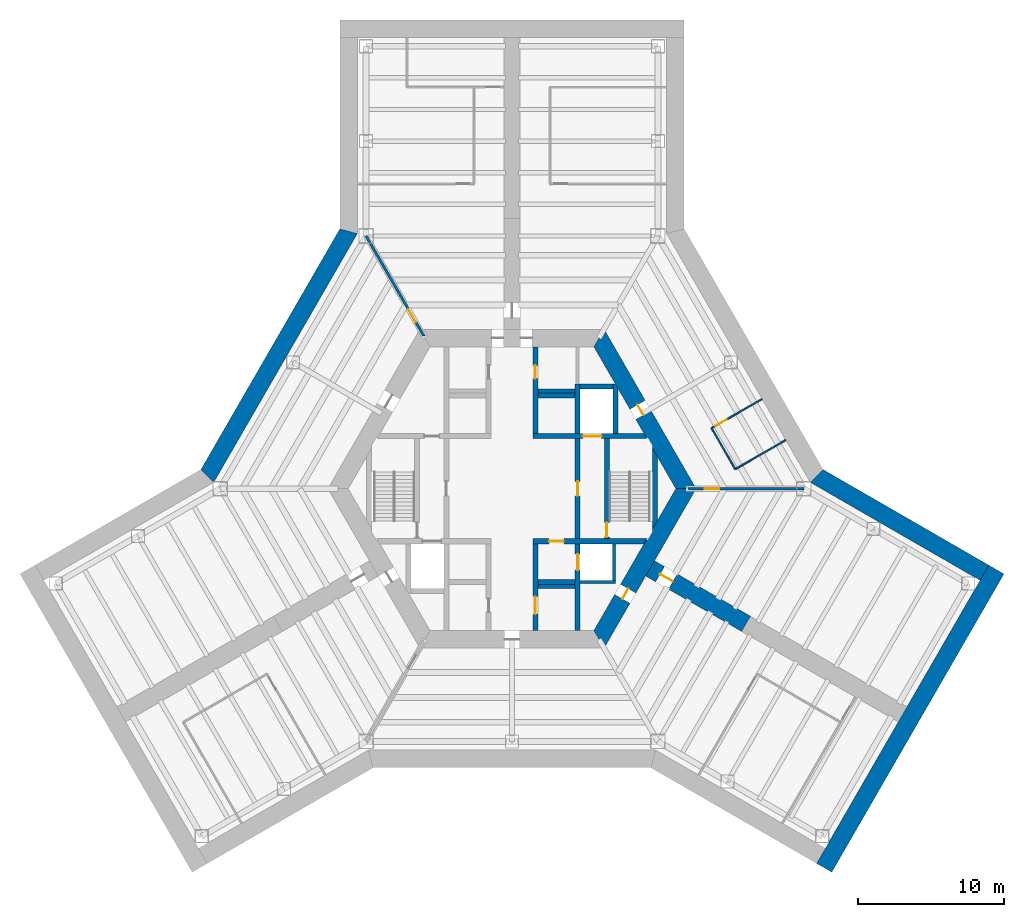
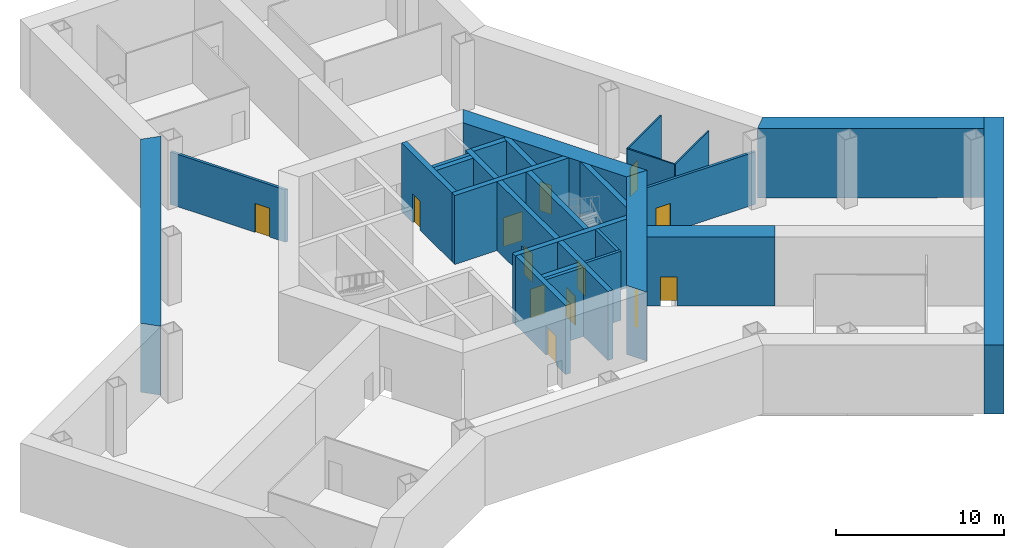
# One storey, part 5 of 7: 28 walls, 13 doors, 13 openings.
"""IFC4 building model written with IfcOpenShell, lengths in metres."""

from ifc_helpers import new_model, si_unit, direction, frame, frame_2d, origin, place, context, subcontext, project, spatial, polyline, rectangle, outline, extrude, material, layer, layer_set, type_object, element, fill, save


model = new_model("IFC4")

# Units and contexts
model_context = context("Model", 3, precision=1e-05, world=origin(), true_north=direction((0.0, 1.0)))
body_context = subcontext(model_context, "Body", "Model", "MODEL_VIEW")
ifc_project = project(units=[si_unit("LENGTHUNIT", "METRE"), si_unit("AREAUNIT", "SQUARE_METRE"), si_unit("VOLUMEUNIT", "CUBIC_METRE"), si_unit("PLANEANGLEUNIT", "RADIAN"), si_unit("MASSUNIT", "GRAM", prefix="KILO")], contexts=[model_context])

# Site, building, storey
site_placement = place(None, origin())
site = spatial("IfcSite", under=ifc_project, at=site_placement, CompositionType="ELEMENT")
building_placement = place(site_placement, origin())
building = spatial("IfcBuilding", under=site, at=building_placement, Name="Kasaneha Research Tower", CompositionType="ELEMENT")
storey_placement = place(building_placement, frame((0.0, 0.0, -5.0)))
storey = spatial("IfcBuildingStorey", under=building, at=storey_placement, Name="B1", CompositionType="ELEMENT", Elevation=-5.0)

# Walls
ifc_material_1 = material(Name="Concrete Fc60", Category="concrete")
ifc_layer_1 = layer(ifc_material_1, 1.199951171875)
ifc_layer_set_1 = layer_set([ifc_layer_1], Name="Basement retaining wall 1200 Fc60")
wall_type_1 = type_object("IfcWallType", Name="Basement retaining wall 1200 Fc60", PredefinedType="SOLIDWALL", material=ifc_layer_set_1)
wall_1_placement = place(storey_placement, frame((-20.87841796875, 0.87841796875, 0.0), z_axis=(0.0, 0.0, 1.0), x_axis=(0.499998307868, 0.866026380735, 0.0)))
element("IfcWall", 1, at=wall_1_placement, inside=storey, type_object=wall_type_1, Name="Retaining wall 2 B1", PredefinedType="SOLIDWALL", context=body_context, shape_type="SweptSolid", body=[
    extrude(outline(polyline([(-0.160888671875, -0.60009765625), (19.517822265625, -0.60009765625), (19.196044921875, 0.60009765625), (0.160888671875, 0.60009765625), (-0.160888671875, -0.60009765625)])), origin(), (0.0, 0.0, 1.0), 5.0),
])
wall_2_placement = place(storey_placement, frame((20.87841796875, 0.87841796875, 0.0), z_axis=(0.0, 0.0, 1.0), x_axis=(0.866028209229, -0.499995140796, 0.0)))
element("IfcWall", 2, at=wall_2_placement, inside=storey, type_object=wall_type_1, Name="Retaining wall 7 B1", PredefinedType="SOLIDWALL", context=body_context, shape_type="SweptSolid", body=[
    extrude(outline(polyline([(-0.160888671875, -0.60009765625), (13.278564453125, -0.60009765625), (13.278564453125, 0.60009765625), (0.160888671875, 0.60009765625), (-0.160888671875, -0.60009765625)])), origin(), (0.0, 0.0, 1.0), 5.0),
])
wall_3_placement = place(storey_placement, frame((33.197509765625, -5.541259765625, 0.0), z_axis=(0.0, 0.0, 1.0), x_axis=(-0.500005427746, -0.866022270051, 0.0)))
element("IfcWall", 3, at=wall_3_placement, inside=storey, type_object=wall_type_1, Name="Retaining wall 8 B1", PredefinedType="SOLIDWALL", context=body_context, shape_type="SweptSolid", body=[
    extrude(rectangle(XDim=23.599853515625, YDim=1.199951171875, at=frame_2d((11.7998046875, 0.0))), origin(), (0.0, 0.0, 1.0), 5.0),
])

# Wall, opening, door
ifc_material_2 = material(Name="Concrete Fc100", Category="concrete")
ifc_layer_2 = layer(ifc_material_2, 0.35009765625)
ifc_layer_set_2 = layer_set([ifc_layer_2], Name="Core internal wall 350 Fc100")
wall_type_2 = type_object("IfcWallType", Name="Core internal wall 350 Fc100", PredefinedType="SHEAR", material=ifc_layer_set_2)
wall_4_placement = place(storey_placement, frame((1.425048828125, 3.60009765625, 0.0), z_axis=(0.0, 0.0, 1.0), x_axis=(1.0, 0.0, 0.0)))
wall_4 = element("IfcWall", 4, at=wall_4_placement, inside=storey, type_object=wall_type_2, Name="Core wall W1E B1", PredefinedType="SHEAR", context=body_context, shape_type="SweptSolid", body=[
    extrude(outline(polyline([(0.0, -0.175048828125), (3.425048828125, -0.175048828125), (4.72509765625, -0.175048828125), (7.8271484375, -0.175048828125), (7.625, 0.175048828125), (4.72509765625, 0.175048828125), (3.425048828125, 0.175048828125), (0.0, 0.175048828125), (0.0, -0.175048828125)])), origin(), (0.0, 0.0, 1.0), 5.0),
])
opening_1_placement = place(wall_4_placement, frame((3.425048828125, 0.0, 0.0)))
opening_1 = element("IfcOpeningElement", 5, at=opening_1_placement, cuts=wall_4, Name="Opening LD-FL1-B1", PredefinedType="OPENING", context=body_context, shape_type="SweptSolid", body=[
    extrude(rectangle(XDim=1.300048828125, YDim=2.10009765625, at=frame_2d((0.64990234375, 1.050048828125))), frame((0.0, 0.18505859375, 0.0), z_axis=(0.0, -1.0, 0.0), x_axis=(1.0, 0.0, 0.0)), (0.0, 0.0, 1.0), 0.3701171875),
])
ifc_material_3 = material(Name="Steel", Category="steel")
door_type_1 = type_object("IfcDoorType", Name="Lift landing door 1300x2100", OperationType="DOUBLE_DOOR_SLIDING", PredefinedType="DOOR", material=ifc_material_3)
door_1_placement = place(opening_1_placement, origin())
door_1 = element("IfcDoor", 6, at=door_1_placement, inside=storey, type_object=door_type_1, Name="Landing door FL1 LD-FL1-B1", OperationType="DOUBLE_DOOR_SLIDING", OverallHeight=2.10009765625, OverallWidth=1.300048828125, PredefinedType="DOOR", context=body_context, shape_type="SweptSolid", body=[
    extrude(rectangle(XDim=1.300048828125, YDim=2.10009765625, at=frame_2d((0.64990234375, 1.050048828125))), frame((0.0, 0.02490234375, 0.0), z_axis=(0.0, -1.0, 0.0), x_axis=(1.0, 0.0, 0.0)), (0.0, 0.0, 1.0), 0.050048828125),
])
fill(opening_1, door_1)

wall_5_placement = place(storey_placement, frame((1.425048828125, -3.60009765625, 0.0), z_axis=(0.0, 0.0, 1.0), x_axis=(1.0, 0.0, 0.0)))
wall_5 = element("IfcWall", 7, at=wall_5_placement, inside=storey, type_object=wall_type_2, Name="Core wall W2E B1", PredefinedType="SHEAR", context=body_context, shape_type="SweptSolid", body=[
    extrude(outline(polyline([(0.0, -0.175048828125), (1.125, -0.175048828125), (2.125, -0.175048828125), (7.625, -0.175048828125), (7.8271484375, 0.175048828125), (2.125, 0.175048828125), (1.125, 0.175048828125), (0.0, 0.175048828125), (0.0, -0.175048828125)])), origin(), (0.0, 0.0, 1.0), 5.0),
])
opening_2_placement = place(wall_5_placement, frame((1.125, 0.0, 0.0)))
opening_2 = element("IfcOpeningElement", 8, at=opening_2_placement, cuts=wall_5, Name="Opening B1-LV", PredefinedType="OPENING", context=body_context, shape_type="SweptSolid", body=[
    extrude(rectangle(XDim=1.0, YDim=2.10009765625, at=frame_2d((0.5, 1.050048828125))), frame((0.0, 0.18505859375, 0.0), z_axis=(0.0, -1.0, 0.0), x_axis=(1.0, 0.0, 0.0)), (0.0, 0.0, 1.0), 0.3701171875),
])
ifc_material_4 = material(Name="Steel", Category="steel")
door_type_2 = type_object("IfcDoorType", Name="Specified fire door FD60 1000x2100", OperationType="NOTDEFINED", PredefinedType="DOOR", material=ifc_material_4)
door_2_placement = place(opening_2_placement, origin())
door_2 = element("IfcDoor", 9, at=door_2_placement, inside=storey, type_object=door_type_2, Name="Podium vestibule door B1-LV", OperationType="SINGLE_SWING_LEFT", OverallHeight=2.10009765625, OverallWidth=1.0, PredefinedType="DOOR", context=body_context, shape_type="SweptSolid", body=[
    extrude(rectangle(XDim=1.0, YDim=2.10009765625, at=frame_2d((0.5, 1.050048828125))), frame((0.0, 0.02490234375, 0.0), z_axis=(0.0, -1.0, 0.0), x_axis=(1.0, 0.0, 0.0)), (0.0, 0.0, 1.0), 0.050048828125),
])
fill(opening_2, door_2)

wall_6_placement = place(storey_placement, frame((1.60009765625, 3.77490234375, 0.0), z_axis=(0.0, 0.0, 1.0), x_axis=(0.0, 1.0, 0.0)))
wall_6 = element("IfcWall", 10, at=wall_6_placement, inside=storey, type_object=wall_type_2, Name="Core wall CNE B1", PredefinedType="SHEAR", context=body_context, shape_type="SweptSolid", body=[
    extrude(rectangle(XDim=5.9501953125, YDim=0.35009765625, at=frame_2d((2.97509765625, 0.0))), origin(), (0.0, 0.0, 1.0), 5.0),
])
opening_3_placement = place(wall_6_placement, frame((3.77490234375, 0.0, 0.0)))
opening_3 = element("IfcOpeningElement", 11, at=opening_3_placement, cuts=wall_6, Name="Opening B1-D14", PredefinedType="OPENING", context=body_context, shape_type="SweptSolid", body=[
    extrude(rectangle(XDim=0.89990234375, YDim=2.10009765625, at=frame_2d((0.449951171875, 1.050048828125))), frame((0.0, 0.18505859375, 0.0), z_axis=(0.0, -1.0, 0.0), x_axis=(1.0, 0.0, 0.0)), (0.0, 0.0, 1.0), 0.3701171875),
])
ifc_material_5 = material(Name="Steel", Category="steel")
door_type_3 = type_object("IfcDoorType", Name="Toilet door FD20 900x2100", OperationType="NOTDEFINED", PredefinedType="DOOR", material=ifc_material_5)
door_3_placement = place(opening_3_placement, origin())
door_3 = element("IfcDoor", 12, at=door_3_placement, inside=storey, type_object=door_type_3, Name="Women's WC door B1-D14", OperationType="SINGLE_SWING_LEFT", OverallHeight=2.10009765625, OverallWidth=0.89990234375, PredefinedType="DOOR", context=body_context, shape_type="SweptSolid", body=[
    extrude(rectangle(XDim=0.89990234375, YDim=2.10009765625, at=frame_2d((0.449951171875, 1.050048828125))), frame((0.0, 0.02490234375, 0.0), z_axis=(0.0, -1.0, 0.0), x_axis=(1.0, 0.0, 0.0)), (0.0, 0.0, 1.0), 0.050048828125),
])
fill(opening_3, door_3)

wall_7_placement = place(storey_placement, frame((1.60009765625, -3.77490234375, 0.0), z_axis=(0.0, 0.0, 1.0), x_axis=(0.0, -1.0, 0.0)))
wall_7 = element("IfcWall", 13, at=wall_7_placement, inside=storey, type_object=wall_type_2, Name="Core wall CSE B1", PredefinedType="SHEAR", context=body_context, shape_type="SweptSolid", body=[
    extrude(rectangle(XDim=5.9501953125, YDim=0.35009765625, at=frame_2d((2.97509765625, 0.0))), origin(), (0.0, 0.0, 1.0), 5.0),
])
opening_4_placement = place(wall_7_placement, frame((3.625, 0.0, 0.0)))
opening_4 = element("IfcOpeningElement", 14, at=opening_4_placement, cuts=wall_7, Name="Opening B1-D15", PredefinedType="OPENING", context=body_context, shape_type="SweptSolid", body=[
    extrude(rectangle(XDim=1.199951171875, YDim=2.10009765625, at=frame_2d((0.60009765625, 1.050048828125))), frame((0.0, 0.18505859375, 0.0), z_axis=(0.0, -1.0, 0.0), x_axis=(1.0, 0.0, 0.0)), (0.0, 0.0, 1.0), 0.3701171875),
])
ifc_material_6 = material(Name="Steel", Category="steel")
door_type_4 = type_object("IfcDoorType", Name="Accessible toilet sliding door FD20 1200x2100", OperationType="SLIDING_TO_LEFT", PredefinedType="DOOR", material=ifc_material_6)
door_4_placement = place(opening_4_placement, origin())
door_4 = element("IfcDoor", 15, at=door_4_placement, inside=storey, type_object=door_type_4, Name="Accessible WC door B1-D15", OperationType="SLIDING_TO_LEFT", OverallHeight=2.10009765625, OverallWidth=1.199951171875, PredefinedType="DOOR", context=body_context, shape_type="SweptSolid", body=[
    extrude(rectangle(XDim=1.199951171875, YDim=2.10009765625, at=frame_2d((0.60009765625, 1.050048828125))), frame((0.0, 0.02490234375, 0.0), z_axis=(0.0, -1.0, 0.0), x_axis=(1.0, 0.0, 0.0)), (0.0, 0.0, 1.0), 0.050048828125),
])
fill(opening_4, door_4)

wall_8_placement = place(storey_placement, frame((4.5, -3.425048828125, 0.0), z_axis=(0.0, 0.0, 1.0), x_axis=(0.0, 1.0, 0.0)))
wall_8 = element("IfcWall", 16, at=wall_8_placement, inside=storey, type_object=wall_type_2, Name="Core wall LBE B1", PredefinedType="SHEAR", context=body_context, shape_type="SweptSolid", body=[
    extrude(rectangle(XDim=6.85009765625, YDim=0.35009765625, at=frame_2d((3.425048828125, 0.0))), origin(), (0.0, 0.0, 1.0), 5.0),
])
opening_5_placement = place(wall_8_placement, frame((2.925048828125, 0.0, 0.0)))
opening_5 = element("IfcOpeningElement", 17, at=opening_5_placement, cuts=wall_8, Name="Opening B1-D08", PredefinedType="OPENING", context=body_context, shape_type="SweptSolid", body=[
    extrude(rectangle(XDim=1.0, YDim=2.10009765625, at=frame_2d((0.5, 1.050048828125))), frame((0.0, 0.18505859375, 0.0), z_axis=(0.0, -1.0, 0.0), x_axis=(1.0, 0.0, 0.0)), (0.0, 0.0, 1.0), 0.3701171875),
])
door_5_placement = place(opening_5_placement, origin())
door_5 = element("IfcDoor", 18, at=door_5_placement, inside=storey, type_object=door_type_2, Name="Lift lobby door east B1-D08", OperationType="SINGLE_SWING_LEFT", OverallHeight=2.10009765625, OverallWidth=1.0, PredefinedType="DOOR", context=body_context, shape_type="SweptSolid", body=[
    extrude(rectangle(XDim=1.0, YDim=2.10009765625, at=frame_2d((0.5, 1.050048828125))), frame((0.0, 0.02490234375, 0.0), z_axis=(0.0, -1.0, 0.0), x_axis=(1.0, 0.0, 0.0)), (0.0, 0.0, 1.0), 0.050048828125),
])
fill(opening_5, door_5)

wall_9_placement = place(storey_placement, frame((6.5, -3.425048828125, 0.0), z_axis=(0.0, 0.0, 1.0), x_axis=(0.0, 1.0, 0.0)))
wall_9 = element("IfcWall", 19, at=wall_9_placement, inside=storey, type_object=wall_type_2, Name="Core wall ANE B1", PredefinedType="SHEAR", context=body_context, shape_type="SweptSolid", body=[
    extrude(rectangle(XDim=6.85009765625, YDim=0.35009765625, at=frame_2d((3.425048828125, 0.0))), origin(), (0.0, 0.0, 1.0), 5.0),
])
opening_6_placement = place(wall_9_placement, frame((0.10009765625, 0.0, 0.0)))
opening_6 = element("IfcOpeningElement", 20, at=opening_6_placement, cuts=wall_9, Name="Opening B1-D10", PredefinedType="OPENING", context=body_context, shape_type="SweptSolid", body=[
    extrude(rectangle(XDim=1.0, YDim=2.10009765625, at=frame_2d((0.5, 1.050048828125))), frame((0.0, 0.18505859375, 0.0), z_axis=(0.0, -1.0, 0.0), x_axis=(1.0, 0.0, 0.0)), (0.0, 0.0, 1.0), 0.3701171875),
])
door_6_placement = place(opening_6_placement, origin())
door_6 = element("IfcDoor", 21, at=door_6_placement, inside=storey, type_object=door_type_2, Name="Stair 1 door B1-D10", OperationType="SINGLE_SWING_LEFT", OverallHeight=2.10009765625, OverallWidth=1.0, PredefinedType="DOOR", context=body_context, shape_type="SweptSolid", body=[
    extrude(rectangle(XDim=1.0, YDim=2.10009765625, at=frame_2d((0.5, 1.050048828125))), frame((0.0, 0.02490234375, 0.0), z_axis=(0.0, -1.0, 0.0), x_axis=(1.0, 0.0, 0.0)), (0.0, 0.0, 1.0), 0.050048828125),
])
fill(opening_6, door_6)

# Wall
wall_10_placement = place(storey_placement, frame((4.5, 3.77490234375, 0.0), z_axis=(0.0, 0.0, 1.0), x_axis=(0.0, 1.0, 0.0)))
element("IfcWall", 22, at=wall_10_placement, inside=storey, type_object=wall_type_2, Name="Core wall FNE B1", PredefinedType="SHEAR", context=body_context, shape_type="SweptSolid", body=[
    extrude(rectangle(XDim=3.400146484375, YDim=0.35009765625, at=frame_2d((1.7001953125, 0.0))), origin(), (0.0, 0.0, 1.0), 5.0),
])

# Wall, opening, door
wall_11_placement = place(storey_placement, frame((4.5, -3.77490234375, 0.0), z_axis=(0.0, 0.0, 1.0), x_axis=(0.0, -1.0, 0.0)))
wall_11 = element("IfcWall", 23, at=wall_11_placement, inside=storey, type_object=wall_type_2, Name="Core wall SSE B1", PredefinedType="SHEAR", context=body_context, shape_type="SweptSolid", body=[
    extrude(rectangle(XDim=5.9501953125, YDim=0.35009765625, at=frame_2d((2.97509765625, 0.0))), origin(), (0.0, 0.0, 1.0), 5.0),
])
opening_7_placement = place(wall_11_placement, frame((0.71240234375, 0.0, 0.0)))
opening_7 = element("IfcOpeningElement", 24, at=opening_7_placement, cuts=wall_11, Name="Opening LD-PL1-B1", PredefinedType="OPENING", context=body_context, shape_type="SweptSolid", body=[
    extrude(rectangle(XDim=1.10009765625, YDim=2.10009765625, at=frame_2d((0.550048828125, 1.050048828125))), frame((0.0, 0.18505859375, 0.0), z_axis=(0.0, -1.0, 0.0), x_axis=(1.0, 0.0, 0.0)), (0.0, 0.0, 1.0), 0.3701171875),
])
ifc_material_7 = material(Name="Steel", Category="steel")
door_type_5 = type_object("IfcDoorType", Name="Lift landing door 1100x2100", OperationType="DOUBLE_DOOR_SLIDING", PredefinedType="DOOR", material=ifc_material_7)
door_7_placement = place(opening_7_placement, origin())
door_7 = element("IfcDoor", 25, at=door_7_placement, inside=storey, type_object=door_type_5, Name="Landing door PL1 LD-PL1-B1", OperationType="DOUBLE_DOOR_SLIDING", OverallHeight=2.10009765625, OverallWidth=1.10009765625, PredefinedType="DOOR", context=body_context, shape_type="SweptSolid", body=[
    extrude(rectangle(XDim=1.10009765625, YDim=2.10009765625, at=frame_2d((0.550048828125, 1.050048828125))), frame((0.0, 0.02490234375, 0.0), z_axis=(0.0, -1.0, 0.0), x_axis=(1.0, 0.0, 0.0)), (0.0, 0.0, 1.0), 0.050048828125),
])
fill(opening_7, door_7)

# Walls
for number, where, z_axis, x_axis, name in (
    (26, (1.77490234375, 6.39990234375, 0.0), (0.0, 0.0, 1.0), (1.0, 0.0, 0.0), "Core wall N3N B1"),
    (27, (1.77490234375, -6.39990234375, 0.0), (0.0, 0.0, 1.0), (1.0, 0.0, 0.0), "Core wall S3S B1"),
):
    element("IfcWall", number, at=place(storey_placement, frame(where, z_axis=z_axis, x_axis=x_axis)), inside=storey, type_object=wall_type_2, Name=name, PredefinedType="SHEAR", context=body_context, shape_type="SweptSolid", body=[
        extrude(rectangle(XDim=2.550048828125, YDim=0.35009765625, at=frame_2d((1.27490234375, 0.0))), origin(), (0.0, 0.0, 1.0), 5.0),
    ])
wall_12_placement = place(storey_placement, frame((4.675048828125, 7.0, 0.0), z_axis=(0.0, 0.0, 1.0), x_axis=(1.0, 0.0, 0.0)))
element("IfcWall", 28, at=wall_12_placement, inside=storey, type_object=wall_type_2, Name="Core wall F1N B1", PredefinedType="SHEAR", context=body_context, shape_type="SweptSolid", body=[
    extrude(rectangle(XDim=2.25, YDim=0.35009765625, at=frame_2d((1.125, 0.0))), origin(), (0.0, 0.0, 1.0), 5.0),
])
wall_13_placement = place(storey_placement, frame((7.10009765625, 3.77490234375, 0.0), z_axis=(0.0, 0.0, 1.0), x_axis=(0.0, 1.0, 0.0)))
element("IfcWall", 29, at=wall_13_placement, inside=storey, type_object=wall_type_2, Name="Core wall F1E B1", PredefinedType="SHEAR", context=body_context, shape_type="SweptSolid", body=[
    extrude(outline(polyline([(0.0, -0.175048828125), (3.07421875, -0.175048828125), (3.37744140625, 0.0), (3.39990234375, 0.175048828125), (0.0, 0.175048828125), (0.0, -0.175048828125)])), origin(), (0.0, 0.0, 1.0), 5.0),
])
wall_14_placement = place(storey_placement, frame((9.807861328125, -2.462158203125, 0.0), z_axis=(0.0, 0.0, 1.0), x_axis=(0.0, 1.0, 0.0)))
element("IfcWall", 30, at=wall_14_placement, inside=storey, type_object=wall_type_2, Name="Core wall STE B1", PredefinedType="SHEAR", context=body_context, shape_type="SweptSolid", body=[
    extrude(outline(polyline([(0.30322265625, -0.175048828125), (4.62109375, -0.175048828125), (5.2275390625, 0.175048828125), (-0.30322265625, 0.175048828125), (0.30322265625, -0.175048828125)])), origin(), (0.0, 0.0, 1.0), 5.0),
])

# Wall, opening, door
ifc_material_8 = material(Name="Concrete Fc100", Category="concrete")
ifc_layer_3 = layer(ifc_material_8, 1.199951171875)
ifc_layer_set_3 = layer_set([ifc_layer_3], Name="Core wall 1200 Fc100")
wall_type_3 = type_object("IfcWallType", Name="Core wall 1200 Fc100", PredefinedType="SHEAR", material=ifc_layer_set_3)
wall_15_placement = place(storey_placement, frame((11.92236328125, 0.0, 0.0), z_axis=(0.0, 0.0, 1.0), x_axis=(-0.500004296715, 0.866022923061, 0.0)))
wall_15 = element("IfcWall", 31, at=wall_15_placement, inside=storey, type_object=wall_type_3, Name="Core wall 030 B1", PredefinedType="SHEAR", context=body_context, shape_type="SweptSolid", body=[
    extrude(outline(polyline([(-0.346435546875, -0.60009765625), (5.83544921875, -0.60009765625), (6.635498046875, -0.60009765625), (12.268798828125, -0.60009765625), (11.575927734375, 0.60009765625), (6.635498046875, 0.60009765625), (5.83544921875, 0.60009765625), (0.346435546875, 0.60009765625), (-0.346435546875, -0.60009765625)])), origin(), (0.0, 0.0, 1.0), 5.0),
])
opening_8_placement = place(wall_15_placement, frame((5.83544921875, 0.0, 0.0)))
opening_8 = element("IfcOpeningElement", 32, at=opening_8_placement, cuts=wall_15, Name="Opening B1-D04", PredefinedType="OPENING", context=body_context, shape_type="SweptSolid", body=[
    extrude(rectangle(XDim=0.800048828125, YDim=2.10009765625, at=frame_2d((0.39990234375, 1.050048828125))), frame((0.0, 0.60986328125, 0.0), z_axis=(0.0, -1.0, 0.0), x_axis=(1.0, 0.0, 0.0)), (0.0, 0.0, 1.0), 1.219970703125),
])
ifc_material_9 = material(Name="Steel", Category="steel")
door_type_6 = type_object("IfcDoorType", Name="Riser access door FD60 800x2100", OperationType="NOTDEFINED", PredefinedType="DOOR", material=ifc_material_9)
door_8_placement = place(opening_8_placement, origin())
door_8 = element("IfcDoor", 33, at=door_8_placement, inside=storey, type_object=door_type_6, Name="Pipe riser door B1-D04", OperationType="SINGLE_SWING_RIGHT", OverallHeight=2.10009765625, OverallWidth=0.800048828125, PredefinedType="DOOR", context=body_context, shape_type="SweptSolid", body=[
    extrude(rectangle(XDim=0.800048828125, YDim=2.10009765625, at=frame_2d((0.39990234375, 1.050048828125))), frame((0.0, 0.02490234375, 0.0), z_axis=(0.0, -1.0, 0.0), x_axis=(1.0, 0.0, 0.0)), (0.0, 0.0, 1.0), 0.050048828125),
])
fill(opening_8, door_8)

wall_16_placement = place(storey_placement, frame((5.961181640625, -10.324951171875, 0.0), z_axis=(0.0, 0.0, 1.0), x_axis=(0.500004296715, 0.866022923061, 0.0)))
wall_16 = element("IfcWall", 34, at=wall_16_placement, inside=storey, type_object=wall_type_3, Name="Core wall 330 B1", PredefinedType="SHEAR", context=body_context, shape_type="SweptSolid", body=[
    extrude(outline(polyline([(-0.346435546875, -0.60009765625), (3.20849609375, -0.60009765625), (4.008544921875, -0.60009765625), (12.268798828125, -0.60009765625), (11.575927734375, 0.60009765625), (4.008544921875, 0.60009765625), (3.20849609375, 0.60009765625), (0.346435546875, 0.60009765625), (-0.346435546875, -0.60009765625)])), origin(), (0.0, 0.0, 1.0), 5.0),
])
opening_9_placement = place(wall_16_placement, frame((3.20849609375, 0.0, 0.0)))
opening_9 = element("IfcOpeningElement", 35, at=opening_9_placement, cuts=wall_16, Name="Opening B1-D05", PredefinedType="OPENING", context=body_context, shape_type="SweptSolid", body=[
    extrude(rectangle(XDim=0.800048828125, YDim=2.10009765625, at=frame_2d((0.39990234375, 1.050048828125))), frame((0.0, 0.60986328125, 0.0), z_axis=(0.0, -1.0, 0.0), x_axis=(1.0, 0.0, 0.0)), (0.0, 0.0, 1.0), 1.219970703125),
])
door_9_placement = place(opening_9_placement, origin())
door_9 = element("IfcDoor", 36, at=door_9_placement, inside=storey, type_object=door_type_6, Name="Pipe riser door B1-D05", OperationType="SINGLE_SWING_LEFT", OverallHeight=2.10009765625, OverallWidth=0.800048828125, PredefinedType="DOOR", context=body_context, shape_type="SweptSolid", body=[
    extrude(rectangle(XDim=0.800048828125, YDim=2.10009765625, at=frame_2d((0.39990234375, 1.050048828125))), frame((0.0, 0.02490234375, 0.0), z_axis=(0.0, -1.0, 0.0), x_axis=(1.0, 0.0, 0.0)), (0.0, 0.0, 1.0), 0.050048828125),
])
fill(opening_9, door_9)

# Walls
ifc_material_10 = material(Name="Concrete block", Category="concrete")
ifc_layer_4 = layer(ifc_material_10, 0.199951171875)
ifc_layer_set_4 = layer_set([ifc_layer_4], Name="Lift shaft wall 200")
wall_type_4 = type_object("IfcWallType", Name="Lift shaft wall 200", PredefinedType="STANDARD", material=ifc_layer_set_4)
wall_17_placement = place(storey_placement, frame((4.675048828125, -6.39990234375, 0.0), z_axis=(0.0, 0.0, 1.0), x_axis=(1.0, 0.0, 0.0)))
element("IfcWall", 37, at=wall_17_placement, inside=storey, type_object=wall_type_4, Name="Lift shaft wall P1S B1", PredefinedType="STANDARD", context=body_context, shape_type="SweptSolid", body=[
    extrude(rectangle(XDim=2.425048828125, YDim=0.199951171875, at=frame_2d((1.21240234375, 0.0))), origin(), (0.0, 0.0, 1.0), 5.0),
])
wall_18_placement = place(storey_placement, frame((7.0, -3.77490234375, 0.0), z_axis=(0.0, 0.0, 1.0), x_axis=(0.0, -1.0, 0.0)))
element("IfcWall", 38, at=wall_18_placement, inside=storey, type_object=wall_type_4, Name="Lift shaft wall P1E B1", PredefinedType="STANDARD", context=body_context, shape_type="SweptSolid", body=[
    extrude(rectangle(XDim=2.525146484375, YDim=0.199951171875, at=frame_2d((1.2626953125, 0.0))), origin(), (0.0, 0.0, 1.0), 5.0),
])

# Wall, opening, door
ifc_material_11 = material(Name="Gypsum board on steel studs, one layer each side", Category="steel")
ifc_layer_5 = layer(ifc_material_11, 0.10009765625)
ifc_layer_set_5 = layer_set([ifc_layer_5], Name="Office partition 100")
wall_type_5 = type_object("IfcWallType", Name="Office partition 100", PredefinedType="PARTITIONING", material=ifc_layer_set_5)
wall_19_placement = place(storey_placement, frame((13.6787109375, 4.148681640625, 0.0), z_axis=(0.0, 0.0, 1.0), x_axis=(0.86599966765, 0.500044573643, 0.0)))
wall_19 = element("IfcWall", 39, at=wall_19_placement, inside=storey, type_object=wall_type_5, Name="Office partition FAE04 B1", PredefinedType="PARTITIONING", context=body_context, shape_type="SweptSolid", body=[
    extrude(rectangle(XDim=3.980224609375, YDim=0.10009765625, at=frame_2d((1.990234375, 0.0))), origin(), (0.0, 0.0, 1.0), 3.699951171875),
])
opening_10_placement = place(wall_19_placement, frame((0.300048828125, 0.0, 0.0)))
opening_10 = element("IfcOpeningElement", 40, at=opening_10_placement, cuts=wall_19, Name="Opening B1-D24", PredefinedType="OPENING", context=body_context, shape_type="SweptSolid", body=[
    extrude(rectangle(XDim=0.89990234375, YDim=2.10009765625, at=frame_2d((0.449951171875, 1.050048828125))), frame((0.0, 0.06005859375, 0.0), z_axis=(0.0, -1.0, 0.0), x_axis=(1.0, 0.0, 0.0)), (0.0, 0.0, 1.0), 0.1201171875),
])
ifc_material_12 = material(Name="Timber veneer", Category="wood")
door_type_7 = type_object("IfcDoorType", Name="Office door 900x2100", OperationType="SINGLE_SWING_LEFT", PredefinedType="DOOR", material=ifc_material_12)
door_10_placement = place(opening_10_placement, origin())
door_10 = element("IfcDoor", 41, at=door_10_placement, inside=storey, type_object=door_type_7, Name="Maintenance workshop door B1-D24", OperationType="SINGLE_SWING_LEFT", OverallHeight=2.10009765625, OverallWidth=0.89990234375, PredefinedType="DOOR", context=body_context, shape_type="SweptSolid", body=[
    extrude(rectangle(XDim=0.89990234375, YDim=2.10009765625, at=frame_2d((0.449951171875, 1.050048828125))), frame((0.0, 0.02490234375, 0.0), z_axis=(0.0, -1.0, 0.0), x_axis=(1.0, 0.0, 0.0)), (0.0, 0.0, 1.0), 0.050048828125),
])
fill(opening_10, door_10)

# Walls
wall_20_placement = place(storey_placement, frame((15.302001953125, 1.33740234375, 0.0), z_axis=(0.0, 0.0, 1.0), x_axis=(-0.500045780129, 0.865998971001, 0.0)))
element("IfcWall", 42, at=wall_20_placement, inside=storey, type_object=wall_type_5, Name="Office partition FAE05 B1", PredefinedType="PARTITIONING", context=body_context, shape_type="SweptSolid", body=[
    extrude(rectangle(XDim=3.246337890625, YDim=0.10009765625, at=frame_2d((1.623046875, 0.0))), origin(), (0.0, 0.0, 1.0), 3.699951171875),
])
wall_21_placement = place(storey_placement, frame((18.76513671875, 3.3369140625, 0.0), z_axis=(0.0, 0.0, 1.0), x_axis=(-0.866017831539, -0.500013115284, 0.0)))
element("IfcWall", 43, at=wall_21_placement, inside=storey, type_object=wall_type_5, Name="Office partition FAE06 B1", PredefinedType="PARTITIONING", context=body_context, shape_type="SweptSolid", body=[
    extrude(rectangle(XDim=3.9990234375, YDim=0.10009765625, at=frame_2d((1.99951171875, 0.0))), origin(), (0.0, 0.0, 1.0), 3.699951171875),
])

# Wall, opening, door
ifc_material_13 = material(Name="Concrete Fc100", Category="concrete")
ifc_layer_6 = layer(ifc_material_13, 1.199951171875)
ifc_layer_set_6 = layer_set([ifc_layer_6], Name="Spine wall 1200 Fc100")
wall_type_6 = type_object("IfcWallType", Name="Spine wall 1200 Fc100", PredefinedType="SHEAR", material=ifc_layer_set_6)
wall_22_placement = place(storey_placement, frame((9.46142578125, -5.46240234375, 0.0), z_axis=(0.0, 0.0, 1.0), x_axis=(0.866019116917, -0.500010889016, 0.0)))
wall_22 = element("IfcWall", 44, at=wall_22_placement, inside=storey, type_object=wall_type_6, Name="Spine wall C B1", PredefinedType="SHEAR", context=body_context, shape_type="SweptSolid", body=[
    extrude(rectangle(XDim=7.595458984375, YDim=1.199951171875, at=frame_2d((3.7978515625, 0.0))), origin(), (0.0, 0.0, 1.0), 5.0),
])
opening_11_placement = place(wall_22_placement, frame((0.800048828125, 0.0, 0.0)))
opening_11 = element("IfcOpeningElement", 45, at=opening_11_placement, cuts=wall_22, Name="Opening B1-D19", PredefinedType="OPENING", context=body_context, shape_type="SweptSolid", body=[
    extrude(rectangle(XDim=1.0, YDim=2.10009765625, at=frame_2d((0.5, 1.050048828125))), frame((0.0, 0.60986328125, 0.0), z_axis=(0.0, -1.0, 0.0), x_axis=(1.0, 0.0, 0.0)), (0.0, 0.0, 1.0), 1.219970703125),
])
door_11_placement = place(opening_11_placement, origin())
door_11 = element("IfcDoor", 46, at=door_11_placement, inside=storey, type_object=door_type_2, Name="Spine doorway C B1-D19", OperationType="SINGLE_SWING_LEFT", OverallHeight=2.10009765625, OverallWidth=1.0, PredefinedType="DOOR", context=body_context, shape_type="SweptSolid", body=[
    extrude(rectangle(XDim=1.0, YDim=2.10009765625, at=frame_2d((0.5, 1.050048828125))), frame((0.0, 0.02490234375, 0.0), z_axis=(0.0, -1.0, 0.0), x_axis=(1.0, 0.0, 0.0)), (0.0, 0.0, 1.0), 0.050048828125),
])
fill(opening_11, door_11)

ifc_material_14 = material(Name="Gypsum board on steel studs, two layers each side", Category="steel")
ifc_layer_7 = layer(ifc_material_14, 0.175048828125)
ifc_layer_set_7 = layer_set([ifc_layer_7], Name="Tenancy fire partition 175")
wall_type_7 = type_object("IfcWallType", Name="Tenancy fire partition 175", PredefinedType="PARTITIONING", material=ifc_layer_set_7)
wall_23_placement = place(storey_placement, frame((12.070068359375, 0.0, 0.0), z_axis=(0.0, 0.0, 1.0), x_axis=(1.0, 0.0, 0.0)))
wall_23 = element("IfcWall", 47, at=wall_23_placement, inside=storey, type_object=wall_type_7, Name="Tenancy fire partition T000 B1", PredefinedType="PARTITIONING", context=body_context, shape_type="SweptSolid", body=[
    extrude(outline(polyline([(0.050537109375, -0.08740234375), (1.12939453125, -0.08740234375), (2.12939453125, -0.08740234375), (7.929931640625, -0.08740234375), (7.929931640625, 0.08740234375), (2.12939453125, 0.08740234375), (1.12939453125, 0.08740234375), (-0.050537109375, 0.08740234375), (0.050537109375, -0.08740234375)])), origin(), (0.0, 0.0, 1.0), 3.800048828125),
])
opening_12_placement = place(wall_23_placement, frame((1.12939453125, 0.0, 0.0)))
opening_12 = element("IfcOpeningElement", 48, at=opening_12_placement, cuts=wall_23, Name="Opening B1-D20", PredefinedType="OPENING", context=body_context, shape_type="SweptSolid", body=[
    extrude(rectangle(XDim=1.0, YDim=2.10009765625, at=frame_2d((0.5, 1.050048828125))), frame((0.0, 0.09765625, 0.0), z_axis=(0.0, -1.0, 0.0), x_axis=(1.0, 0.0, 0.0)), (0.0, 0.0, 1.0), 0.195068359375),
])
ifc_material_15 = material(Name="Steel", Category="steel")
door_type_8 = type_object("IfcDoorType", Name="Suite entrance door FD60 1000x2100", OperationType="NOTDEFINED", PredefinedType="DOOR", material=ifc_material_15)
door_12_placement = place(opening_12_placement, origin())
door_12 = element("IfcDoor", 49, at=door_12_placement, inside=storey, type_object=door_type_8, Name="Connecting door B1-D20", OperationType="SINGLE_SWING_LEFT", OverallHeight=2.10009765625, OverallWidth=1.0, PredefinedType="DOOR", context=body_context, shape_type="SweptSolid", body=[
    extrude(rectangle(XDim=1.0, YDim=2.10009765625, at=frame_2d((0.5, 1.050048828125))), frame((0.0, 0.02490234375, 0.0), z_axis=(0.0, -1.0, 0.0), x_axis=(1.0, 0.0, 0.0)), (0.0, 0.0, 1.0), 0.050048828125),
])
fill(opening_12, door_12)

wall_24_placement = place(storey_placement, frame((-6.03515625, 10.453125, 0.0), z_axis=(0.0, 0.0, 1.0), x_axis=(-0.499993402427, 0.866029212861, 0.0)))
wall_24 = element("IfcWall", 50, at=wall_24_placement, inside=storey, type_object=wall_type_7, Name="Tenancy fire partition T120 B1", PredefinedType="PARTITIONING", context=body_context, shape_type="SweptSolid", body=[
    extrude(outline(polyline([(-0.050537109375, -0.08740234375), (1.12939453125, -0.08740234375), (2.12939453125, -0.08740234375), (7.9296875, -0.08740234375), (7.9296875, 0.08740234375), (2.12939453125, 0.08740234375), (1.12939453125, 0.08740234375), (0.050537109375, 0.08740234375), (-0.050537109375, -0.08740234375)])), origin(), (0.0, 0.0, 1.0), 3.800048828125),
])
opening_13_placement = place(wall_24_placement, frame((1.12939453125, 0.0, 0.0)))
opening_13 = element("IfcOpeningElement", 51, at=opening_13_placement, cuts=wall_24, Name="Opening B1-D21", PredefinedType="OPENING", context=body_context, shape_type="SweptSolid", body=[
    extrude(rectangle(XDim=1.0, YDim=2.10009765625, at=frame_2d((0.5, 1.050048828125))), frame((0.0, 0.09765625, 0.0), z_axis=(0.0, -1.0, 0.0), x_axis=(1.0, 0.0, 0.0)), (0.0, 0.0, 1.0), 0.195068359375),
])
door_13_placement = place(opening_13_placement, origin())
door_13 = element("IfcDoor", 52, at=door_13_placement, inside=storey, type_object=door_type_8, Name="Connecting door B1-D21", OperationType="SINGLE_SWING_LEFT", OverallHeight=2.10009765625, OverallWidth=1.0, PredefinedType="DOOR", context=body_context, shape_type="SweptSolid", body=[
    extrude(rectangle(XDim=1.0, YDim=2.10009765625, at=frame_2d((0.5, 1.050048828125))), frame((0.0, 0.02490234375, 0.0), z_axis=(0.0, -1.0, 0.0), x_axis=(1.0, 0.0, 0.0)), (0.0, 0.0, 1.0), 0.050048828125),
])
fill(opening_13, door_13)

# Walls
ifc_material_16 = material(Name="Concrete block lining", Category="concrete")
ifc_layer_8 = layer(ifc_material_16, 0.25)
ifc_layer_set_8 = layer_set([ifc_layer_8], Name="WC plumbing wall 250")
wall_type_8 = type_object("IfcWallType", Name="WC plumbing wall 250", PredefinedType="PLUMBINGWALL", material=ifc_layer_set_8)
for number, where, z_axis, x_axis, name in (
    (53, (1.77490234375, 6.699951171875, 0.0), (0.0, 0.0, 1.0), (1.0, 0.0, 0.0), "WC plumbing wall F B1"),
    (54, (1.77490234375, -6.699951171875, 0.0), (0.0, 0.0, 1.0), (1.0, 0.0, 0.0), "WC plumbing wall A B1"),
):
    element("IfcWall", number, at=place(storey_placement, frame(where, z_axis=z_axis, x_axis=x_axis)), inside=storey, type_object=wall_type_8, Name=name, PredefinedType="PLUMBINGWALL", context=body_context, shape_type="SweptSolid", body=[
        extrude(rectangle(XDim=2.550048828125, YDim=0.25, at=frame_2d((1.27490234375, 0.0))), origin(), (0.0, 0.0, 1.0), 5.0),
    ])

save(model, "model.ifc")
